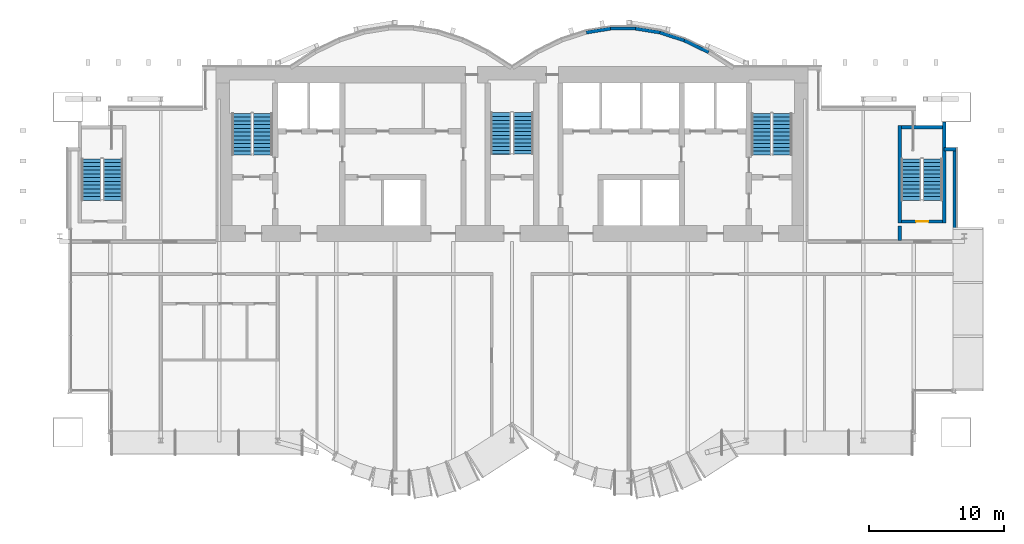
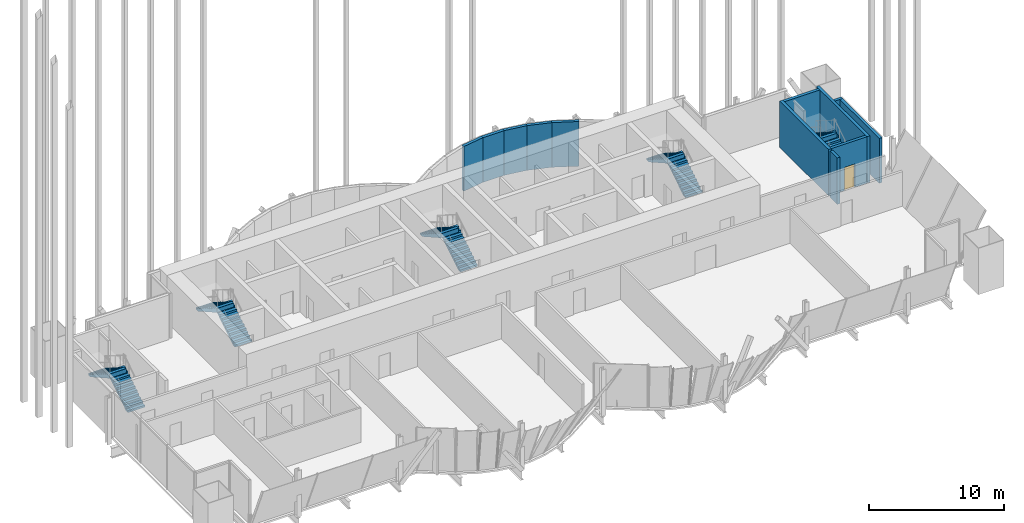
# One storey, part 26 of 28: 12 walls, 10 stair flights, 1 door, 1 opening, 5 elements without a shape of their own.
"""IFC4 building model written with IfcOpenShell, lengths in metres."""

from ifc_helpers import new_model, si_unit, direction, frame, frame_2d, origin, place, context, subcontext, project, spatial, polyline, rectangle, outline, extrude, material, layer, layer_set, layer_usage, type_object, element, fill, aggregate, save


model = new_model("IFC4")

# Units and contexts
model_context = context("Model", 3, precision=1e-05, world=origin(), true_north=direction((0.0, 1.0)))
body_context = subcontext(model_context, "Body", "Model", "MODEL_VIEW")
ifc_project = project(units=[si_unit("LENGTHUNIT", "METRE"), si_unit("AREAUNIT", "SQUARE_METRE"), si_unit("VOLUMEUNIT", "CUBIC_METRE"), si_unit("PLANEANGLEUNIT", "RADIAN"), si_unit("MASSUNIT", "GRAM", prefix="KILO")], contexts=[model_context])

# Site, building, storey
site_placement = place(None, origin())
site = spatial("IfcSite", under=ifc_project, at=site_placement, CompositionType="ELEMENT")
building_placement = place(site_placement, origin())
building = spatial("IfcBuilding", under=site, at=building_placement, Name="Bicima Exchange Tower", CompositionType="ELEMENT")
storey_placement = place(building_placement, frame((0.0, 0.0, 241.39990234375)))
storey = spatial("IfcBuildingStorey", under=building, at=storey_placement, Name="L54", CompositionType="ELEMENT", Elevation=241.39990234375)

# Walls
ifc_material_1 = material(Name="Concrete C50/60", Category="concrete")
ifc_layer_1 = layer(ifc_material_1, 0.25)
ifc_layer_set_1 = layer_set([ifc_layer_1], Name="Concrete C50/60")
wall_type_1 = type_object("IfcWallType", Name="RC core wall 250 C50/60", PredefinedType="SHEAR", material=ifc_layer_set_1)
wall_1_placement = place(storey_placement, frame((28.800048828125, -12.89990234375, 0.0), z_axis=(0.0, 0.0, 1.0), x_axis=(0.0, 1.0, 0.0)))
element("IfcWall", 1, at=wall_1_placement, inside=storey, type_object=wall_type_1, Name="stair wall 26", PredefinedType="SHEAR", context=body_context, shape_type="SweptSolid", body=[
    extrude(rectangle(XDim=1.0498046875, YDim=0.25, at=frame_2d((0.52490234375, 0.0))), origin(), (0.0, 0.0, 1.0), 4.2001953125),
])
ifc_layer_2 = layer(ifc_material_1, 0.25)
ifc_layer_set_2 = layer_set([ifc_layer_2], Name="Concrete C50/60")
wall_type_2 = type_object("IfcWallType", Name="RC stair enclosure wall 250 C50/60", PredefinedType="SHEAR", material=ifc_layer_set_2)
wall_2_placement = place(storey_placement, frame((28.800048828125, -11.625, 0.0), z_axis=(0.0, 0.0, 1.0), x_axis=(0.0, 1.0, 0.0)))
element("IfcWall", 2, at=wall_2_placement, inside=storey, type_object=wall_type_2, Name="East end exit stair wall W", PredefinedType="SHEAR", context=body_context, shape_type="SweptSolid", body=[
    extrude(rectangle(XDim=7.25, YDim=0.25, at=frame_2d((3.625, 0.0))), origin(), (0.0, 0.0, 1.0), 4.2001953125),
])
wall_3_placement = place(storey_placement, frame((32.10009765625, -11.625, 0.0), z_axis=(0.0, 0.0, 1.0), x_axis=(0.0, 1.0, 0.0)))
element("IfcWall", 3, at=wall_3_placement, inside=storey, type_object=wall_type_2, Name="East end exit stair wall E", PredefinedType="SHEAR", context=body_context, shape_type="SweptSolid", body=[
    extrude(rectangle(XDim=7.52490234375, YDim=0.25, at=frame_2d((3.762451171875, 0.0))), origin(), (0.0, 0.0, 1.0), 4.2001953125),
])

# Wall, opening, door
wall_4_placement = place(storey_placement, frame((28.925048828125, -11.5, 0.0), z_axis=(0.0, 0.0, 1.0), x_axis=(1.0, 0.0, 0.0)))
wall_4 = element("IfcWall", 4, at=wall_4_placement, inside=storey, type_object=wall_type_2, Name="East end exit stair wall S", PredefinedType="SHEAR", context=body_context, shape_type="SweptSolid", body=[
    extrude(rectangle(XDim=3.050048828125, YDim=0.25, at=frame_2d((1.52490234375, 0.0))), origin(), (0.0, 0.0, 1.0), 4.2001953125),
])
opening_placement = place(wall_4_placement, frame((1.10009765625, 0.0, 0.0)))
opening = element("IfcOpeningElement", 5, at=opening_placement, cuts=wall_4, Name="Opening L54-004", PredefinedType="OPENING", context=body_context, shape_type="SweptSolid", body=[
    extrude(rectangle(XDim=0.89990234375, YDim=2.10009765625, at=frame_2d((0.449951171875, 1.050048828125))), frame((0.0, 0.136962890625, 0.0), z_axis=(0.0, -1.0, 0.0), x_axis=(1.0, 0.0, 0.0)), (0.0, 0.0, 1.0), 0.27392578125),
])
ifc_material_2 = material(Name="Steel fire door leaf", Category="steel")
door_type = type_object("IfcDoorType", Name="Door 900 swing FD60S", OperationType="SINGLE_SWING_LEFT", PredefinedType="DOOR", material=ifc_material_2)
door_placement = place(opening_placement, origin())
door = element("IfcDoor", 6, at=door_placement, inside=storey, type_object=door_type, Name="Door", OperationType="SINGLE_SWING_LEFT", OverallHeight=2.10009765625, OverallWidth=0.89990234375, PredefinedType="DOOR", context=body_context, shape_type="SweptSolid", body=[
    extrude(rectangle(XDim=0.89990234375, YDim=2.10009765625, at=frame_2d((0.449951171875, 1.050048828125))), frame((0.0, 0.02490234375, 0.0), z_axis=(0.0, -1.0, 0.0), x_axis=(1.0, 0.0, 0.0)), (0.0, 0.0, 1.0), 0.050048828125),
])
fill(opening, door)

# Walls
wall_5_placement = place(storey_placement, frame((28.925048828125, -4.5, 0.0), z_axis=(0.0, 0.0, 1.0), x_axis=(1.0, 0.0, 0.0)))
element("IfcWall", 7, at=wall_5_placement, inside=storey, type_object=wall_type_2, Name="East end exit stair wall N", PredefinedType="SHEAR", context=body_context, shape_type="SweptSolid", body=[
    extrude(rectangle(XDim=3.050048828125, YDim=0.25, at=frame_2d((1.52490234375, 0.0))), origin(), (0.0, 0.0, 1.0), 4.2001953125),
])
ifc_material_3 = material(Name="Concrete C40/50", Category="concrete")
ifc_layer_3 = layer(ifc_material_3, 0.25)
ifc_layer_set_3 = layer_set([ifc_layer_3], Name="Concrete C40/50")
ifc_layer_usage = layer_usage(ifc_layer_set_3, "AXIS2", "POSITIVE", -0.125)
wall_type_3 = type_object("IfcWallType", Name="Rear backup wall 250", PredefinedType="STANDARD", material=ifc_layer_set_3)
wall_6_placement = place(storey_placement, frame((32.875, -12.090087890625, 0.0), z_axis=(0.0, 0.0, 1.0), x_axis=(0.0, 1.0, 0.0)))
element("IfcWall", 8, at=wall_6_placement, inside=storey, type_object=wall_type_3, material=ifc_layer_usage, Name="Rear backup wall L54 2", PredefinedType="STANDARD", context=body_context, shape_type="SweptSolid", body=[
    extrude(rectangle(XDim=6.090087890625, YDim=0.25, at=frame_2d((3.044921875, 0.0))), origin(), (0.0, 0.0, 1.0), 4.050048828125),
])
wall_7_placement = place(storey_placement, frame((33.0, -6.125, 0.0), z_axis=(0.0, 0.0, 1.0), x_axis=(-1.0, 0.0, 0.0)))
element("IfcWall", 9, at=wall_7_placement, inside=storey, type_object=wall_type_3, material=ifc_layer_usage, Name="Rear backup wall L54 3", PredefinedType="STANDARD", context=body_context, shape_type="SweptSolid", body=[
    extrude(rectangle(XDim=0.889892578125, YDim=0.25, at=frame_2d((0.44482421875, 0.0))), origin(), (0.0, 0.0, 1.0), 4.050048828125),
])
wall_8_placement = place(storey_placement, frame((14.6123046875, 1.07275390625, 0.0), z_axis=(0.0, 0.0, 1.0), x_axis=(-0.89982408427, 0.436252928206, 0.0)))
element("IfcWall", 10, at=wall_8_placement, inside=storey, type_object=wall_type_3, material=ifc_layer_usage, Name="Rear backup wall L54 9", PredefinedType="STANDARD", context=body_context, shape_type="SweptSolid", body=[
    extrude(rectangle(XDim=2.03759765625, YDim=0.25, at=frame_2d((1.018798828125, 0.0))), origin(), (0.0, 0.0, 1.0), 4.050048828125),
])
wall_9_placement = place(storey_placement, frame((12.794921875, 1.955078125, 0.0), z_axis=(0.0, 0.0, 1.0), x_axis=(-0.951495806175, 0.307661714928, 0.0)))
element("IfcWall", 11, at=wall_9_placement, inside=storey, type_object=wall_type_3, material=ifc_layer_usage, Name="Rear backup wall L54 10", PredefinedType="STANDARD", context=body_context, shape_type="SweptSolid", body=[
    extrude(rectangle(XDim=1.9267578125, YDim=0.25, at=frame_2d((0.96337890625, 0.0))), origin(), (0.0, 0.0, 1.0), 4.050048828125),
])
wall_10_placement = place(storey_placement, frame((10.97998046875, 2.543212890625, 0.0), z_axis=(0.0, 0.0, 1.0), x_axis=(-0.987181718931, 0.159600293885, 0.0)))
element("IfcWall", 12, at=wall_10_placement, inside=storey, type_object=wall_type_3, material=ifc_layer_usage, Name="Rear backup wall L54 11", PredefinedType="STANDARD", context=body_context, shape_type="SweptSolid", body=[
    extrude(rectangle(XDim=1.857177734375, YDim=0.25, at=frame_2d((0.9287109375, 0.0))), origin(), (0.0, 0.0, 1.0), 4.050048828125),
])
wall_11_placement = place(storey_placement, frame((9.166748046875, 2.837890625, 0.0), z_axis=(0.0, 0.0, 1.0), x_axis=(-1.0, 0.0, 0.0)))
element("IfcWall", 13, at=wall_11_placement, inside=storey, type_object=wall_type_3, material=ifc_layer_usage, Name="Rear backup wall L54 12", PredefinedType="STANDARD", context=body_context, shape_type="SweptSolid", body=[
    extrude(rectangle(XDim=1.83349609375, YDim=0.25, at=frame_2d((0.916748046875, 0.0))), origin(), (0.0, 0.0, 1.0), 4.050048828125),
])
wall_12_placement = place(storey_placement, frame((7.353271484375, 2.839599609375, 0.0), z_axis=(0.0, 0.0, 1.0), x_axis=(-0.987181718931, -0.159600293885, 0.0)))
element("IfcWall", 14, at=wall_12_placement, inside=storey, type_object=wall_type_3, material=ifc_layer_usage, Name="Rear backup wall L54 13", PredefinedType="STANDARD", context=body_context, shape_type="SweptSolid", body=[
    extrude(rectangle(XDim=1.857177734375, YDim=0.25, at=frame_2d((0.9287109375, 0.0))), origin(), (0.0, 0.0, 1.0), 4.050048828125),
])

# Stair, stair flights
stair_type_1 = type_object("IfcStairType", Name="Exit stair", PredefinedType="HALF_TURN_STAIR", material=ifc_material_1)
stair_1_placement = place(storey_placement, origin())
stair_1 = element("IfcStair", 15, at=stair_1_placement, inside=storey, type_object=stair_type_1, Name="L54 West exit stair", PredefinedType="HALF_TURN_STAIR")
stair_flight_type_1 = type_object("IfcStairFlightType", Name="Stair flight RC", PredefinedType="STRAIGHT", material=ifc_material_1)
stair_flight_1_placement = place(storey_placement, frame((-18.52490234375, -6.550048828125, 0.0), z_axis=(0.0, 0.0, 1.0), x_axis=(0.0, 1.0, 0.0)))
stair_flight_1 = element("IfcStairFlight", 16, at=stair_flight_1_placement, type_object=stair_flight_type_1, Name="ST-W flight 1", NumberOfRisers=12, NumberOfTreads=11, PredefinedType="STRAIGHT", RiserHeight=0.175, TreadLength=0.28, context=body_context, shape_type="SweptSolid", body=[
    extrude(outline(polyline([(0.0, 0.0), (0.0, 0.175048828125), (0.280029296875, 0.175048828125), (0.280029296875, 0.35009765625), (0.56005859375, 0.35009765625), (0.56005859375, 0.52490234375), (0.840087890625, 0.52490234375), (0.840087890625, 0.699951171875), (1.1201171875, 0.699951171875), (1.1201171875, 0.875), (1.39990234375, 0.875), (1.39990234375, 1.050048828125), (1.679931640625, 1.050048828125), (1.679931640625, 1.22509765625), (1.9599609375, 1.22509765625), (1.9599609375, 1.39990234375), (2.239990234375, 1.39990234375), (2.239990234375, 1.574951171875), (2.52001953125, 1.574951171875), (2.52001953125, 1.75), (2.800048828125, 1.75), (2.800048828125, 1.925048828125), (3.080078125, 1.925048828125), (3.080078125, 2.10009765625), (3.080078125, 1.748291015625), (0.28271484375, 0.0), (0.0, 0.0)])), frame((0.0, 0.72509765625, 0.0), z_axis=(0.0, -1.0, 0.0), x_axis=(1.0, 0.0, 0.0)), (0.0, 0.0, 1.0), 1.449951171875),
])
stair_flight_2_placement = place(storey_placement, frame((-20.074951171875, -3.469970703125, 2.10009765625), z_axis=(0.0, 0.0, 1.0), x_axis=(0.0, -1.0, 0.0)))
stair_flight_2 = element("IfcStairFlight", 17, at=stair_flight_2_placement, type_object=stair_flight_type_1, Name="ST-W flight 2", NumberOfRisers=12, NumberOfTreads=11, PredefinedType="STRAIGHT", RiserHeight=0.175, TreadLength=0.28, context=body_context, shape_type="SweptSolid", body=[
    extrude(outline(polyline([(0.0, 0.0), (0.0, 0.175048828125), (0.280029296875, 0.175048828125), (0.280029296875, 0.35009765625), (0.56005859375, 0.35009765625), (0.56005859375, 0.52490234375), (0.840087890625, 0.52490234375), (0.840087890625, 0.699951171875), (1.1201171875, 0.699951171875), (1.1201171875, 0.875), (1.39990234375, 0.875), (1.39990234375, 1.050048828125), (1.679931640625, 1.050048828125), (1.679931640625, 1.22509765625), (1.9599609375, 1.22509765625), (1.9599609375, 1.39990234375), (2.239990234375, 1.39990234375), (2.239990234375, 1.574951171875), (2.52001953125, 1.574951171875), (2.52001953125, 1.75), (2.800048828125, 1.75), (2.800048828125, 1.925048828125), (3.080078125, 1.925048828125), (3.080078125, 1.9541015625), (3.094970703125, 1.9541015625), (3.094970703125, 1.58251953125), (0.28271484375, 0.0), (0.0, 0.0)])), frame((0.0, 0.72509765625, 0.0), z_axis=(0.0, -1.0, 0.0), x_axis=(1.0, 0.0, 0.0)), (0.0, 0.0, 1.0), 1.449951171875),
])
aggregate(stair_1, [stair_flight_1, stair_flight_2])

stair_2_placement = place(storey_placement, origin())
stair_2 = element("IfcStair", 18, at=stair_2_placement, inside=storey, type_object=stair_type_1, Name="L54 East exit stair", PredefinedType="HALF_TURN_STAIR")
stair_flight_3_placement = place(storey_placement, frame((20.074951171875, -6.550048828125, 0.0), z_axis=(0.0, 0.0, 1.0), x_axis=(0.0, 1.0, 0.0)))
stair_flight_3 = element("IfcStairFlight", 19, at=stair_flight_3_placement, type_object=stair_flight_type_1, Name="ST-E flight 1", NumberOfRisers=12, NumberOfTreads=11, PredefinedType="STRAIGHT", RiserHeight=0.175, TreadLength=0.28, context=body_context, shape_type="SweptSolid", body=[
    extrude(outline(polyline([(0.0, 0.0), (0.0, 0.175048828125), (0.280029296875, 0.175048828125), (0.280029296875, 0.35009765625), (0.56005859375, 0.35009765625), (0.56005859375, 0.52490234375), (0.840087890625, 0.52490234375), (0.840087890625, 0.699951171875), (1.1201171875, 0.699951171875), (1.1201171875, 0.875), (1.39990234375, 0.875), (1.39990234375, 1.050048828125), (1.679931640625, 1.050048828125), (1.679931640625, 1.22509765625), (1.9599609375, 1.22509765625), (1.9599609375, 1.39990234375), (2.239990234375, 1.39990234375), (2.239990234375, 1.574951171875), (2.52001953125, 1.574951171875), (2.52001953125, 1.75), (2.800048828125, 1.75), (2.800048828125, 1.925048828125), (3.080078125, 1.925048828125), (3.080078125, 2.10009765625), (3.080078125, 1.748291015625), (0.28271484375, 0.0), (0.0, 0.0)])), frame((0.0, 0.72509765625, 0.0), z_axis=(0.0, -1.0, 0.0), x_axis=(1.0, 0.0, 0.0)), (0.0, 0.0, 1.0), 1.449951171875),
])
stair_flight_4_placement = place(storey_placement, frame((18.52490234375, -3.469970703125, 2.10009765625), z_axis=(0.0, 0.0, 1.0), x_axis=(0.0, -1.0, 0.0)))
stair_flight_4 = element("IfcStairFlight", 20, at=stair_flight_4_placement, type_object=stair_flight_type_1, Name="ST-E flight 2", NumberOfRisers=12, NumberOfTreads=11, PredefinedType="STRAIGHT", RiserHeight=0.175, TreadLength=0.28, context=body_context, shape_type="SweptSolid", body=[
    extrude(outline(polyline([(0.0, 0.0), (0.0, 0.175048828125), (0.280029296875, 0.175048828125), (0.280029296875, 0.35009765625), (0.56005859375, 0.35009765625), (0.56005859375, 0.52490234375), (0.840087890625, 0.52490234375), (0.840087890625, 0.699951171875), (1.1201171875, 0.699951171875), (1.1201171875, 0.875), (1.39990234375, 0.875), (1.39990234375, 1.050048828125), (1.679931640625, 1.050048828125), (1.679931640625, 1.22509765625), (1.9599609375, 1.22509765625), (1.9599609375, 1.39990234375), (2.239990234375, 1.39990234375), (2.239990234375, 1.574951171875), (2.52001953125, 1.574951171875), (2.52001953125, 1.75), (2.800048828125, 1.75), (2.800048828125, 1.925048828125), (3.080078125, 1.925048828125), (3.080078125, 1.9541015625), (3.094970703125, 1.9541015625), (3.094970703125, 1.58251953125), (0.28271484375, 0.0), (0.0, 0.0)])), frame((0.0, 0.72509765625, 0.0), z_axis=(0.0, -1.0, 0.0), x_axis=(1.0, 0.0, 0.0)), (0.0, 0.0, 1.0), 1.449951171875),
])
aggregate(stair_2, [stair_flight_3, stair_flight_4])

stair_3_placement = place(storey_placement, origin())
stair_3 = element("IfcStair", 21, at=stair_3_placement, inside=storey, type_object=stair_type_1, Name="L54 West end exit stair", PredefinedType="HALF_TURN_STAIR")
stair_flight_5_placement = place(storey_placement, frame((-29.64990234375, -9.925048828125, 0.0), z_axis=(0.0, 0.0, 1.0), x_axis=(0.0, 1.0, 0.0)))
stair_flight_5 = element("IfcStairFlight", 22, at=stair_flight_5_placement, type_object=stair_flight_type_1, Name="ST-WW flight 1", NumberOfRisers=12, NumberOfTreads=11, PredefinedType="STRAIGHT", RiserHeight=0.175, TreadLength=0.28, context=body_context, shape_type="SweptSolid", body=[
    extrude(outline(polyline([(0.0, 0.0), (0.0, 0.175048828125), (0.280029296875, 0.175048828125), (0.280029296875, 0.35009765625), (0.56005859375, 0.35009765625), (0.56005859375, 0.52490234375), (0.840087890625, 0.52490234375), (0.840087890625, 0.699951171875), (1.1201171875, 0.699951171875), (1.1201171875, 0.875), (1.39990234375, 0.875), (1.39990234375, 1.050048828125), (1.679931640625, 1.050048828125), (1.679931640625, 1.22509765625), (1.9599609375, 1.22509765625), (1.9599609375, 1.39990234375), (2.239990234375, 1.39990234375), (2.239990234375, 1.574951171875), (2.52001953125, 1.574951171875), (2.52001953125, 1.75), (2.800048828125, 1.75), (2.800048828125, 1.925048828125), (3.080078125, 1.925048828125), (3.080078125, 2.10009765625), (3.080078125, 1.748291015625), (0.28271484375, 0.0), (0.0, 0.0)])), frame((0.0, 0.72509765625, 0.0), z_axis=(0.0, -1.0, 0.0), x_axis=(1.0, 0.0, 0.0)), (0.0, 0.0, 1.0), 1.449951171875),
])
stair_flight_6_placement = place(storey_placement, frame((-31.25, -6.844970703125, 2.10009765625), z_axis=(0.0, 0.0, 1.0), x_axis=(0.0, -1.0, 0.0)))
stair_flight_6 = element("IfcStairFlight", 23, at=stair_flight_6_placement, type_object=stair_flight_type_1, Name="ST-WW flight 2", NumberOfRisers=12, NumberOfTreads=11, PredefinedType="STRAIGHT", RiserHeight=0.175, TreadLength=0.28, context=body_context, shape_type="SweptSolid", body=[
    extrude(outline(polyline([(0.0, 0.0), (0.0, 0.175048828125), (0.280029296875, 0.175048828125), (0.280029296875, 0.35009765625), (0.56005859375, 0.35009765625), (0.56005859375, 0.52490234375), (0.840087890625, 0.52490234375), (0.840087890625, 0.699951171875), (1.1201171875, 0.699951171875), (1.1201171875, 0.875), (1.39990234375, 0.875), (1.39990234375, 1.050048828125), (1.679931640625, 1.050048828125), (1.679931640625, 1.22509765625), (1.9599609375, 1.22509765625), (1.9599609375, 1.39990234375), (2.239990234375, 1.39990234375), (2.239990234375, 1.574951171875), (2.52001953125, 1.574951171875), (2.52001953125, 1.75), (2.800048828125, 1.75), (2.800048828125, 1.925048828125), (3.080078125, 1.925048828125), (3.080078125, 1.9541015625), (3.094970703125, 1.9541015625), (3.094970703125, 1.58251953125), (0.28271484375, 0.0), (0.0, 0.0)])), frame((0.0, 0.72509765625, 0.0), z_axis=(0.0, -1.0, 0.0), x_axis=(1.0, 0.0, 0.0)), (0.0, 0.0, 1.0), 1.449951171875),
])
aggregate(stair_3, [stair_flight_5, stair_flight_6])

stair_4_placement = place(storey_placement, origin())
stair_4 = element("IfcStair", 24, at=stair_4_placement, inside=storey, type_object=stair_type_1, Name="L54 East end exit stair", PredefinedType="HALF_TURN_STAIR")
stair_flight_7_placement = place(storey_placement, frame((31.25, -9.925048828125, 0.0), z_axis=(0.0, 0.0, 1.0), x_axis=(0.0, 1.0, 0.0)))
stair_flight_7 = element("IfcStairFlight", 25, at=stair_flight_7_placement, type_object=stair_flight_type_1, Name="ST-EE flight 1", NumberOfRisers=12, NumberOfTreads=11, PredefinedType="STRAIGHT", RiserHeight=0.175, TreadLength=0.28, context=body_context, shape_type="SweptSolid", body=[
    extrude(outline(polyline([(0.0, 0.0), (0.0, 0.175048828125), (0.280029296875, 0.175048828125), (0.280029296875, 0.35009765625), (0.56005859375, 0.35009765625), (0.56005859375, 0.52490234375), (0.840087890625, 0.52490234375), (0.840087890625, 0.699951171875), (1.1201171875, 0.699951171875), (1.1201171875, 0.875), (1.39990234375, 0.875), (1.39990234375, 1.050048828125), (1.679931640625, 1.050048828125), (1.679931640625, 1.22509765625), (1.9599609375, 1.22509765625), (1.9599609375, 1.39990234375), (2.239990234375, 1.39990234375), (2.239990234375, 1.574951171875), (2.52001953125, 1.574951171875), (2.52001953125, 1.75), (2.800048828125, 1.75), (2.800048828125, 1.925048828125), (3.080078125, 1.925048828125), (3.080078125, 2.10009765625), (3.080078125, 1.748291015625), (0.28271484375, 0.0), (0.0, 0.0)])), frame((0.0, 0.72509765625, 0.0), z_axis=(0.0, -1.0, 0.0), x_axis=(1.0, 0.0, 0.0)), (0.0, 0.0, 1.0), 1.449951171875),
])
stair_flight_8_placement = place(storey_placement, frame((29.64990234375, -6.844970703125, 2.10009765625), z_axis=(0.0, 0.0, 1.0), x_axis=(0.0, -1.0, 0.0)))
stair_flight_8 = element("IfcStairFlight", 26, at=stair_flight_8_placement, type_object=stair_flight_type_1, Name="ST-EE flight 2", NumberOfRisers=12, NumberOfTreads=11, PredefinedType="STRAIGHT", RiserHeight=0.175, TreadLength=0.28, context=body_context, shape_type="SweptSolid", body=[
    extrude(outline(polyline([(0.0, 0.0), (0.0, 0.175048828125), (0.280029296875, 0.175048828125), (0.280029296875, 0.35009765625), (0.56005859375, 0.35009765625), (0.56005859375, 0.52490234375), (0.840087890625, 0.52490234375), (0.840087890625, 0.699951171875), (1.1201171875, 0.699951171875), (1.1201171875, 0.875), (1.39990234375, 0.875), (1.39990234375, 1.050048828125), (1.679931640625, 1.050048828125), (1.679931640625, 1.22509765625), (1.9599609375, 1.22509765625), (1.9599609375, 1.39990234375), (2.239990234375, 1.39990234375), (2.239990234375, 1.574951171875), (2.52001953125, 1.574951171875), (2.52001953125, 1.75), (2.800048828125, 1.75), (2.800048828125, 1.925048828125), (3.080078125, 1.925048828125), (3.080078125, 1.9541015625), (3.094970703125, 1.9541015625), (3.094970703125, 1.58251953125), (0.28271484375, 0.0), (0.0, 0.0)])), frame((0.0, 0.72509765625, 0.0), z_axis=(0.0, -1.0, 0.0), x_axis=(1.0, 0.0, 0.0)), (0.0, 0.0, 1.0), 1.449951171875),
])
aggregate(stair_4, [stair_flight_7, stair_flight_8])

stair_type_2 = type_object("IfcStairType", Name="Exit stair 1500", PredefinedType="HALF_TURN_STAIR", material=ifc_material_1)
stair_5_placement = place(storey_placement, origin())
stair_5 = element("IfcStair", 27, at=stair_5_placement, inside=storey, type_object=stair_type_2, Name="L54 Central exit stair", PredefinedType="HALF_TURN_STAIR")
stair_flight_type_2 = type_object("IfcStairFlightType", Name="Stair flight RC 1500", PredefinedType="STRAIGHT", material=ifc_material_1)
stair_flight_9_placement = place(storey_placement, frame((0.824951171875, -6.5, 0.0), z_axis=(0.0, 0.0, 1.0), x_axis=(0.0, 1.0, 0.0)))
stair_flight_9 = element("IfcStairFlight", 28, at=stair_flight_9_placement, type_object=stair_flight_type_2, Name="ST-C flight 1", NumberOfRisers=12, NumberOfTreads=11, PredefinedType="STRAIGHT", RiserHeight=0.175, TreadLength=0.28, context=body_context, shape_type="SweptSolid", body=[
    extrude(outline(polyline([(0.0, 0.0), (0.0, 0.175048828125), (0.280029296875, 0.175048828125), (0.280029296875, 0.35009765625), (0.56005859375, 0.35009765625), (0.56005859375, 0.52490234375), (0.840087890625, 0.52490234375), (0.840087890625, 0.699951171875), (1.1201171875, 0.699951171875), (1.1201171875, 0.875), (1.39990234375, 0.875), (1.39990234375, 1.050048828125), (1.679931640625, 1.050048828125), (1.679931640625, 1.22509765625), (1.9599609375, 1.22509765625), (1.9599609375, 1.39990234375), (2.239990234375, 1.39990234375), (2.239990234375, 1.574951171875), (2.52001953125, 1.574951171875), (2.52001953125, 1.75), (2.800048828125, 1.75), (2.800048828125, 1.925048828125), (3.080078125, 1.925048828125), (3.080078125, 2.10009765625), (3.080078125, 1.748291015625), (0.28271484375, 0.0), (0.0, 0.0)])), frame((0.0, 0.75, 0.0), z_axis=(0.0, -1.0, 0.0), x_axis=(1.0, 0.0, 0.0)), (0.0, 0.0, 1.0), 1.5),
])
stair_flight_10_placement = place(storey_placement, frame((-0.824951171875, -3.419921875, 2.10009765625), z_axis=(0.0, 0.0, 1.0), x_axis=(0.0, -1.0, 0.0)))
stair_flight_10 = element("IfcStairFlight", 29, at=stair_flight_10_placement, type_object=stair_flight_type_2, Name="ST-C flight 2", NumberOfRisers=12, NumberOfTreads=11, PredefinedType="STRAIGHT", RiserHeight=0.175, TreadLength=0.28, context=body_context, shape_type="SweptSolid", body=[
    extrude(outline(polyline([(0.0, 0.0), (0.0, 0.175048828125), (0.280029296875, 0.175048828125), (0.280029296875, 0.35009765625), (0.56005859375, 0.35009765625), (0.56005859375, 0.52490234375), (0.840087890625, 0.52490234375), (0.840087890625, 0.699951171875), (1.1201171875, 0.699951171875), (1.1201171875, 0.875), (1.39990234375, 0.875), (1.39990234375, 1.050048828125), (1.679931640625, 1.050048828125), (1.679931640625, 1.22509765625), (1.9599609375, 1.22509765625), (1.9599609375, 1.39990234375), (2.239990234375, 1.39990234375), (2.239990234375, 1.574951171875), (2.52001953125, 1.574951171875), (2.52001953125, 1.75), (2.800048828125, 1.75), (2.800048828125, 1.925048828125), (3.080078125, 1.925048828125), (3.080078125, 1.9541015625), (3.094970703125, 1.9541015625), (3.094970703125, 1.58251953125), (0.28271484375, 0.0), (0.0, 0.0)])), frame((0.0, 0.75, 0.0), z_axis=(0.0, -1.0, 0.0), x_axis=(1.0, 0.0, 0.0)), (0.0, 0.0, 1.0), 1.5),
])
aggregate(stair_5, [stair_flight_9, stair_flight_10])

save(model, "model.ifc")
